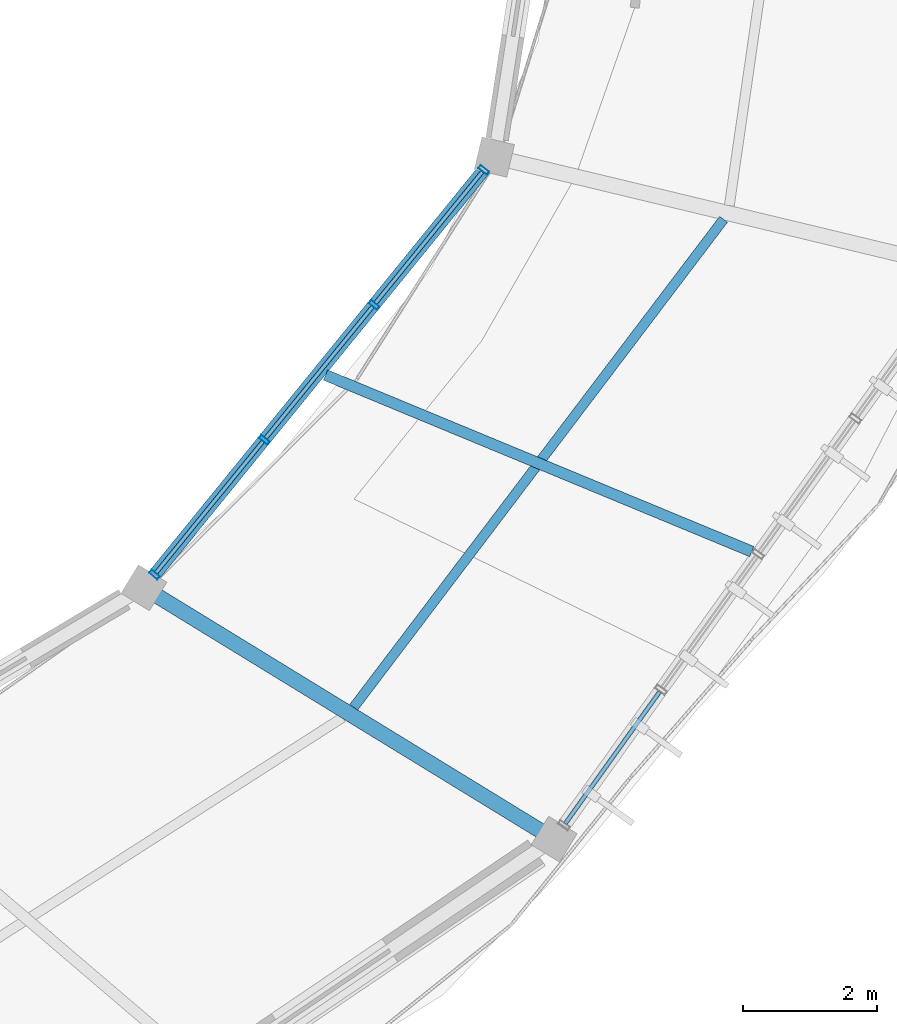
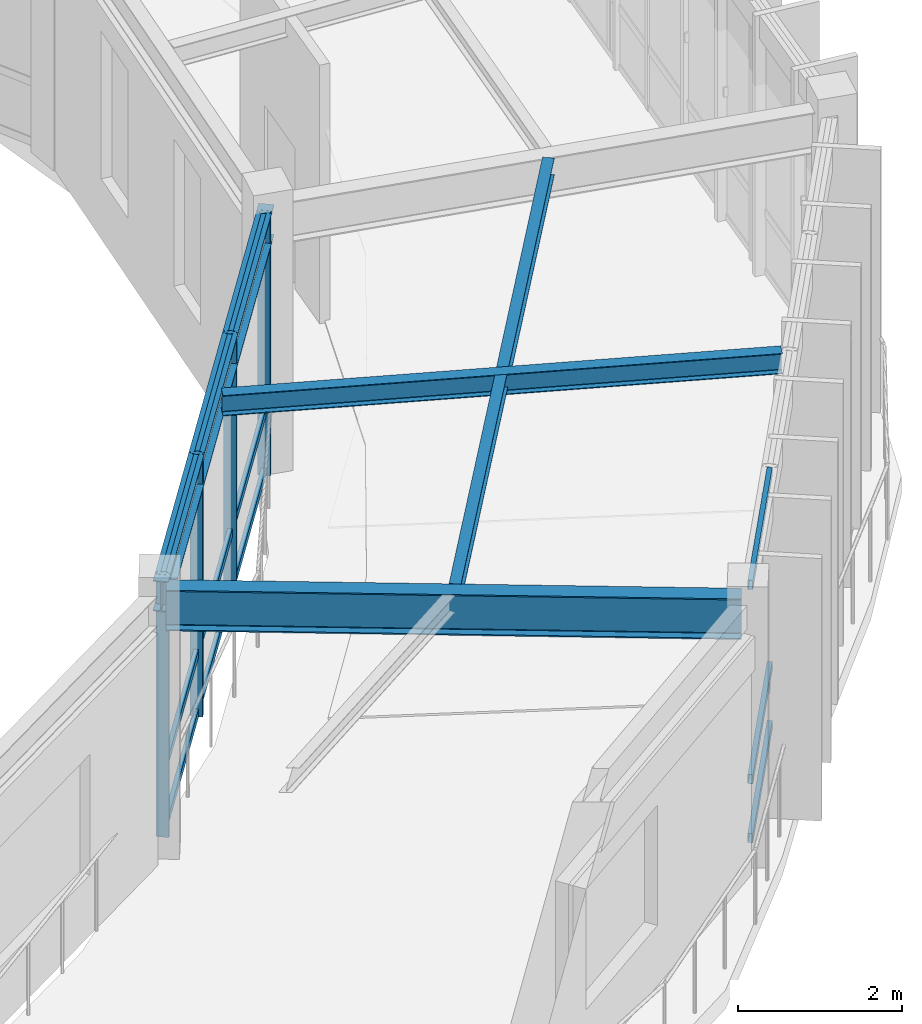
# One storey, part 49 of 78: 16 members, 4 beams, 2 elements without a shape of their own.
"""IFC4 building model written with IfcOpenShell, lengths in metres."""

from ifc_helpers import new_model, si_unit, direction, frame, origin, origin_2d, place, context, subcontext, project, spatial, hollow_rectangle, i_section, extrude, material, material_profile, profile_set, type_object, element, aggregate, save


model = new_model("IFC4")

# Units and contexts
model_context = context("Model", 3, precision=1e-05, world=origin(), true_north=direction((0.0, 1.0)))
body_context = subcontext(model_context, "Body", "Model", "MODEL_VIEW")
ifc_project = project(units=[si_unit("LENGTHUNIT", "METRE"), si_unit("AREAUNIT", "SQUARE_METRE"), si_unit("VOLUMEUNIT", "CUBIC_METRE"), si_unit("PLANEANGLEUNIT", "RADIAN"), si_unit("MASSUNIT", "GRAM", prefix="KILO"), si_unit("THERMODYNAMICTEMPERATUREUNIT", "KELVIN"), si_unit("POWERUNIT", "WATT")], contexts=[model_context])

# Site, building, storey
site_placement = place(None, origin())
site = spatial("IfcSite", under=ifc_project, at=site_placement, CompositionType="ELEMENT")
building_placement = place(site_placement, origin())
building = spatial("IfcBuilding", under=site, at=building_placement, Name="Darbajah Civic Hall", CompositionType="ELEMENT")
storey_placement = place(building_placement, frame((0.0, 0.0, 26.39990234375)))
storey = spatial("IfcBuildingStorey", under=building, at=storey_placement, Name="L06", CompositionType="ELEMENT", Elevation=26.39990234375)

# Curtain wall, members
ifc_material_1 = material(Name="Anodised Bronze Aluminium and Low-E Glazing", Category="aluminium")
curtain_wall_type_1 = type_object("IfcCurtainWallType", Name="Unitised Curtain Wall CW-75 7800x3900", PredefinedType="USERDEFINED", material=ifc_material_1)
curtain_wall_1_placement = place(storey_placement, origin())
curtain_wall_1 = element("IfcCurtainWall", 1, at=curtain_wall_1_placement, inside=storey, type_object=curtain_wall_type_1, Name="L06 unitised curtain wall CW-V1I-L06-18", ObjectType="UNITISED CURTAIN WALL", PredefinedType="USERDEFINED")
ifc_material_2 = material(Name="Anodised Bronze Aluminium", Category="aluminium")
ifc_material_profile_1 = material_profile(ifc_material_2, hollow_rectangle(XDim=0.06005859375, YDim=0.159912109375, WallThickness=0.00341796875, at=origin_2d()), Name="ALU MULLION 60x160")
ifc_profile_set_1 = profile_set([ifc_material_profile_1], Name="Anodised Bronze Aluminium")
member_type_1 = type_object("IfcMemberType", Name="ALU MULLION 60x160", PredefinedType="MULLION", material=ifc_profile_set_1)
member_1_placement = place(storey_placement, frame((126.6044921875, 78.34375, 0.0), z_axis=(0.0, 0.0, 1.0), x_axis=(0.63108205791, 0.775716079622, 0.0)))
member_1 = element("IfcMember", 2, at=member_1_placement, type_object=member_type_1, Name="CW-V1I-L06-18 mullion 1", PredefinedType="MULLION", context=body_context, shape_type="SweptSolid", body=[
    extrude(hollow_rectangle(XDim=0.06005859375, YDim=0.159912109375, WallThickness=0.00341796875, at=origin_2d()), origin(), (0.0, 0.0, 1.0), 3.920166015625),
])
member_2_placement = place(storey_placement, frame((128.24658203125, 80.362060546875, 0.0), z_axis=(0.0, 0.0, 1.0), x_axis=(0.63108205791, 0.775716079622, 0.0)))
member_2 = element("IfcMember", 3, at=member_2_placement, type_object=member_type_1, Name="CW-V1I-L06-18 mullion 2", PredefinedType="MULLION", context=body_context, shape_type="SweptSolid", body=[
    extrude(hollow_rectangle(XDim=0.06005859375, YDim=0.159912109375, WallThickness=0.00341796875, at=origin_2d()), origin(), (0.0, 0.0, 1.0), 3.920166015625),
])
member_3_placement = place(storey_placement, frame((129.888671875, 82.38037109375, 0.0), z_axis=(0.0, 0.0, 1.0), x_axis=(0.63108205791, 0.775716079622, 0.0)))
member_3 = element("IfcMember", 4, at=member_3_placement, type_object=member_type_1, Name="CW-V1I-L06-18 mullion 3", PredefinedType="MULLION", context=body_context, shape_type="SweptSolid", body=[
    extrude(hollow_rectangle(XDim=0.06005859375, YDim=0.159912109375, WallThickness=0.00341796875, at=origin_2d()), origin(), (0.0, 0.0, 1.0), 3.920166015625),
])
member_4_placement = place(storey_placement, frame((131.53076171875, 84.398681640625, 0.0), z_axis=(0.0, 0.0, 1.0), x_axis=(0.63108205791, 0.775716079622, 0.0)))
member_4 = element("IfcMember", 5, at=member_4_placement, type_object=member_type_1, Name="CW-V1I-L06-18 mullion 4", PredefinedType="MULLION", context=body_context, shape_type="SweptSolid", body=[
    extrude(hollow_rectangle(XDim=0.06005859375, YDim=0.159912109375, WallThickness=0.00341796875, at=origin_2d()), origin(), (0.0, 0.0, 1.0), 3.920166015625),
])
ifc_material_profile_2 = material_profile(ifc_material_2, hollow_rectangle(XDim=0.06005859375, YDim=0.1201171875, WallThickness=0.003173828125, at=origin_2d()), Name="ALU TRANSOM 60x120")
ifc_profile_set_2 = profile_set([ifc_material_profile_2], Name="Anodised Bronze Aluminium")
member_type_2 = type_object("IfcMemberType", Name="ALU TRANSOM 60x120", PredefinedType="USERDEFINED", material=ifc_profile_set_2)
member_5_placement = place(storey_placement, frame((126.626708984375, 78.370849609375, 0.06005859375), z_axis=(0.631082550461, 0.775715678908, 0.0), x_axis=(-0.775715678908, 0.631082550461, 0.0)))
member_5 = element("IfcMember", 6, at=member_5_placement, type_object=member_type_2, Name="CW-V1I-L06-18 transom 1.1", ObjectType="TRANSOM", PredefinedType="USERDEFINED", context=body_context, shape_type="SweptSolid", body=[
    extrude(hollow_rectangle(XDim=0.06005859375, YDim=0.1201171875, WallThickness=0.003173828125, at=origin_2d()), origin(), (0.0, 0.0, 1.0), 2.531982421875),
])
member_6_placement = place(storey_placement, frame((126.626708984375, 78.370849609375, 0.9501953125), z_axis=(0.631082550461, 0.775715678908, 0.0), x_axis=(-0.775715678908, 0.631082550461, 0.0)))
member_6 = element("IfcMember", 7, at=member_6_placement, type_object=member_type_2, Name="CW-V1I-L06-18 transom 1.2", ObjectType="TRANSOM", PredefinedType="USERDEFINED", context=body_context, shape_type="SweptSolid", body=[
    extrude(hollow_rectangle(XDim=0.06005859375, YDim=0.1201171875, WallThickness=0.003173828125, at=origin_2d()), origin(), (0.0, 0.0, 1.0), 2.531982421875),
])
member_7_placement = place(storey_placement, frame((126.626708984375, 78.370849609375, 3.860107421875), z_axis=(0.631082550461, 0.775715678908, 0.0), x_axis=(-0.775715678908, 0.631082550461, 0.0)))
member_7 = element("IfcMember", 8, at=member_7_placement, type_object=member_type_2, Name="CW-V1I-L06-18 transom 1.3", ObjectType="TRANSOM", PredefinedType="USERDEFINED", context=body_context, shape_type="SweptSolid", body=[
    extrude(hollow_rectangle(XDim=0.06005859375, YDim=0.1201171875, WallThickness=0.003173828125, at=origin_2d()), origin(), (0.0, 0.0, 1.0), 2.531982421875),
])
member_8_placement = place(storey_placement, frame((128.268798828125, 80.38916015625, 0.06005859375), z_axis=(0.631082550461, 0.775715678908, 0.0), x_axis=(-0.775715678908, 0.631082550461, 0.0)))
member_8 = element("IfcMember", 9, at=member_8_placement, type_object=member_type_2, Name="CW-V1I-L06-18 transom 2.1", ObjectType="TRANSOM", PredefinedType="USERDEFINED", context=body_context, shape_type="SweptSolid", body=[
    extrude(hollow_rectangle(XDim=0.06005859375, YDim=0.1201171875, WallThickness=0.003173828125, at=origin_2d()), origin(), (0.0, 0.0, 1.0), 2.531982421875),
])
member_9_placement = place(storey_placement, frame((128.268798828125, 80.38916015625, 0.9501953125), z_axis=(0.631082550461, 0.775715678908, 0.0), x_axis=(-0.775715678908, 0.631082550461, 0.0)))
member_9 = element("IfcMember", 10, at=member_9_placement, type_object=member_type_2, Name="CW-V1I-L06-18 transom 2.2", ObjectType="TRANSOM", PredefinedType="USERDEFINED", context=body_context, shape_type="SweptSolid", body=[
    extrude(hollow_rectangle(XDim=0.06005859375, YDim=0.1201171875, WallThickness=0.003173828125, at=origin_2d()), origin(), (0.0, 0.0, 1.0), 2.531982421875),
])
member_10_placement = place(storey_placement, frame((128.268798828125, 80.38916015625, 3.860107421875), z_axis=(0.631082550461, 0.775715678908, 0.0), x_axis=(-0.775715678908, 0.631082550461, 0.0)))
member_10 = element("IfcMember", 11, at=member_10_placement, type_object=member_type_2, Name="CW-V1I-L06-18 transom 2.3", ObjectType="TRANSOM", PredefinedType="USERDEFINED", context=body_context, shape_type="SweptSolid", body=[
    extrude(hollow_rectangle(XDim=0.06005859375, YDim=0.1201171875, WallThickness=0.003173828125, at=origin_2d()), origin(), (0.0, 0.0, 1.0), 2.531982421875),
])
member_11_placement = place(storey_placement, frame((129.910888671875, 82.407470703125, 0.06005859375), z_axis=(0.631082550461, 0.775715678908, 0.0), x_axis=(-0.775715678908, 0.631082550461, 0.0)))
member_11 = element("IfcMember", 12, at=member_11_placement, type_object=member_type_2, Name="CW-V1I-L06-18 transom 3.1", ObjectType="TRANSOM", PredefinedType="USERDEFINED", context=body_context, shape_type="SweptSolid", body=[
    extrude(hollow_rectangle(XDim=0.06005859375, YDim=0.1201171875, WallThickness=0.003173828125, at=origin_2d()), origin(), (0.0, 0.0, 1.0), 2.531982421875),
])
member_12_placement = place(storey_placement, frame((129.910888671875, 82.407470703125, 0.9501953125), z_axis=(0.631082550461, 0.775715678908, 0.0), x_axis=(-0.775715678908, 0.631082550461, 0.0)))
member_12 = element("IfcMember", 13, at=member_12_placement, type_object=member_type_2, Name="CW-V1I-L06-18 transom 3.2", ObjectType="TRANSOM", PredefinedType="USERDEFINED", context=body_context, shape_type="SweptSolid", body=[
    extrude(hollow_rectangle(XDim=0.06005859375, YDim=0.1201171875, WallThickness=0.003173828125, at=origin_2d()), origin(), (0.0, 0.0, 1.0), 2.531982421875),
])
member_13_placement = place(storey_placement, frame((129.910888671875, 82.407470703125, 3.860107421875), z_axis=(0.631082550461, 0.775715678908, 0.0), x_axis=(-0.775715678908, 0.631082550461, 0.0)))
member_13 = element("IfcMember", 14, at=member_13_placement, type_object=member_type_2, Name="CW-V1I-L06-18 transom 3.3", ObjectType="TRANSOM", PredefinedType="USERDEFINED", context=body_context, shape_type="SweptSolid", body=[
    extrude(hollow_rectangle(XDim=0.06005859375, YDim=0.1201171875, WallThickness=0.003173828125, at=origin_2d()), origin(), (0.0, 0.0, 1.0), 2.531982421875),
])
aggregate(curtain_wall_1, [member_1, member_2, member_3, member_4, member_5, member_6, member_7, member_8, member_9, member_10, member_11, member_12, member_13])

curtain_wall_type_2 = type_object("IfcCurtainWallType", Name="Unitised Curtain Wall CW-92 10000x3900", PredefinedType="USERDEFINED", material=ifc_material_1)
curtain_wall_2_placement = place(storey_placement, origin())
curtain_wall_2 = element("IfcCurtainWall", 15, at=curtain_wall_2_placement, inside=storey, type_object=curtain_wall_type_2, Name="L06 unitised curtain wall CW-V1O-L06-18", ObjectType="UNITISED CURTAIN WALL", PredefinedType="USERDEFINED")
ifc_material_profile_3 = material_profile(ifc_material_2, hollow_rectangle(XDim=0.06494140625, YDim=0.139892578125, WallThickness=0.00341796875, at=origin_2d()), Name="ALU TRANSOM 65x140")
ifc_profile_set_3 = profile_set([ifc_material_profile_3], Name="Anodised Bronze Aluminium")
member_type_3 = type_object("IfcMemberType", Name="ALU TRANSOM 65x140", PredefinedType="USERDEFINED", material=ifc_profile_set_3)
member_14_placement = place(storey_placement, frame((132.753173828125, 74.62158203125, 0.070068359375), z_axis=(0.582153568568, 0.813078853866, 0.0), x_axis=(-0.813078853866, 0.582153568568, 0.0)))
member_14 = element("IfcMember", 16, at=member_14_placement, type_object=member_type_3, Name="CW-V1O-L06-18 transom 1.1", ObjectType="TRANSOM", PredefinedType="USERDEFINED", context=body_context, shape_type="SweptSolid", body=[
    extrude(hollow_rectangle(XDim=0.06494140625, YDim=0.139892578125, WallThickness=0.00341796875, at=origin_2d()), origin(), (0.0, 0.0, 1.0), 2.421142578125),
])
member_15_placement = place(storey_placement, frame((132.753173828125, 74.62158203125, 0.9501953125), z_axis=(0.582153568568, 0.813078853866, 0.0), x_axis=(-0.813078853866, 0.582153568568, 0.0)))
member_15 = element("IfcMember", 17, at=member_15_placement, type_object=member_type_3, Name="CW-V1O-L06-18 transom 1.2", ObjectType="TRANSOM", PredefinedType="USERDEFINED", context=body_context, shape_type="SweptSolid", body=[
    extrude(hollow_rectangle(XDim=0.06494140625, YDim=0.139892578125, WallThickness=0.00341796875, at=origin_2d()), origin(), (0.0, 0.0, 1.0), 2.421142578125),
])
member_16_placement = place(storey_placement, frame((132.753173828125, 74.62158203125, 3.85009765625), z_axis=(0.582153568568, 0.813078853866, 0.0), x_axis=(-0.813078853866, 0.582153568568, 0.0)))
member_16 = element("IfcMember", 18, at=member_16_placement, type_object=member_type_3, Name="CW-V1O-L06-18 transom 1.3", ObjectType="TRANSOM", PredefinedType="USERDEFINED", context=body_context, shape_type="SweptSolid", body=[
    extrude(hollow_rectangle(XDim=0.06494140625, YDim=0.139892578125, WallThickness=0.00341796875, at=origin_2d()), origin(), (0.0, 0.0, 1.0), 2.421142578125),
])
aggregate(curtain_wall_2, [member_14, member_15, member_16])

# Beams
ifc_material_3 = material(Name="Steel S355JR", Category="steel")
ifc_material_profile_4 = material_profile(ifc_material_3, i_section(OverallWidth=0.146484375, OverallDepth=0.256103515625, WebThickness=0.00634765625, FlangeThickness=0.010986328125, FilletRadius=0.007568359375, at=origin_2d()), Name="UB 254x146x37")
ifc_profile_set_4 = profile_set([ifc_material_profile_4], Name="Steel S355JR")
beam_type_1 = type_object("IfcBeamType", Name="UB 254x146x37", PredefinedType="JOIST", material=ifc_profile_set_4)
beam_1_placement = place(storey_placement, frame((129.585205078125, 76.359619140625, 3.7919921875), z_axis=(0.604101851083, 0.796907117246, 0.0), x_axis=(-0.796907117246, 0.604101851083, 0.0)))
element("IfcBeam", 19, at=beam_1_placement, inside=storey, type_object=beam_type_1, Name="L06 beam SJ-254", PredefinedType="JOIST", context=body_context, shape_type="SweptSolid", body=[
    extrude(i_section(OverallWidth=0.146484375, OverallDepth=0.256103515625, WebThickness=0.00634765625, FlangeThickness=0.010986328125, FilletRadius=0.007568359375, at=origin_2d()), origin(), (0.0, 0.0, 1.0), 9.16259765625),
])
ifc_material_profile_5 = material_profile(ifc_material_3, i_section(OverallWidth=0.165771484375, OverallDepth=0.306640625, WebThickness=0.006591796875, FlangeThickness=0.01171875, FilletRadius=0.0087890625, at=origin_2d()), Name="UB 305x165x46")
ifc_profile_set_5 = profile_set([ifc_material_profile_5], Name="Steel S355JR")
beam_type_2 = type_object("IfcBeamType", Name="UB 305x165x46", PredefinedType="JOIST", material=ifc_profile_set_5)
beam_2_placement = place(storey_placement, frame((129.16552734375, 81.330810546875, 3.766845703125), z_axis=(0.923878471007, -0.382685995053, 0.0), x_axis=(0.382685995053, 0.923878471007, 0.0)))
element("IfcBeam", 20, at=beam_2_placement, inside=storey, type_object=beam_type_2, Name="L06 beam SJ-305", PredefinedType="JOIST", context=body_context, shape_type="SweptSolid", body=[
    extrude(i_section(OverallWidth=0.165771484375, OverallDepth=0.306640625, WebThickness=0.006591796875, FlangeThickness=0.01171875, FilletRadius=0.0087890625, at=origin_2d()), origin(), (0.0, 0.0, 1.0), 6.9033203125),
])
ifc_material_profile_6 = material_profile(ifc_material_3, i_section(OverallWidth=0.1904296875, OverallDepth=0.45703125, WebThickness=0.009033203125, FlangeThickness=0.014404296875, FilletRadius=0.01025390625, at=origin_2d()), Name="UB 457x191x74")
ifc_profile_set_6 = profile_set([ifc_material_profile_6], Name="Steel S355JR")
beam_type_3 = type_object("IfcBeamType", Name="UB 457x191x74", PredefinedType="BEAM", material=ifc_profile_set_6)
beam_3_placement = place(storey_placement, frame((126.49609375, 78.21044921875, 3.691650390625), z_axis=(0.631114659221, 0.775689555761, 0.0), x_axis=(-0.775689555761, 0.631114659221, 0.0)))
element("IfcBeam", 21, at=beam_3_placement, inside=storey, type_object=beam_type_3, Name="L06 beam SB-457", PredefinedType="BEAM", context=body_context, shape_type="SweptSolid", body=[
    extrude(i_section(OverallWidth=0.1904296875, OverallDepth=0.45703125, WebThickness=0.009033203125, FlangeThickness=0.014404296875, FilletRadius=0.01025390625, at=origin_2d()), origin(), (0.0, 0.0, 1.0), 8.149658203125),
])
ifc_material_profile_7 = material_profile(ifc_material_3, i_section(OverallWidth=0.228271484375, OverallDepth=0.607666015625, WebThickness=0.010986328125, FlangeThickness=0.017333984375, FilletRadius=0.0126953125, at=origin_2d()), Name="UB 610x229x113")
ifc_profile_set_7 = profile_set([ifc_material_profile_7], Name="Steel S355JR")
beam_type_4 = type_object("IfcBeamType", Name="UB 610x229x113", PredefinedType="BEAM", material=ifc_profile_set_7)
beam_4_placement = place(storey_placement, frame((126.513916015625, 78.1064453125, 3.6162109375), z_axis=(0.852629661041, -0.522515704178, 0.0), x_axis=(0.522515704178, 0.852629661041, 0.0)))
element("IfcBeam", 22, at=beam_4_placement, inside=storey, type_object=beam_type_4, Name="L06 beam SB-610", PredefinedType="BEAM", context=body_context, shape_type="SweptSolid", body=[
    extrude(i_section(OverallWidth=0.228271484375, OverallDepth=0.607666015625, WebThickness=0.010986328125, FlangeThickness=0.017333984375, FilletRadius=0.0126953125, at=origin_2d()), origin(), (0.0, 0.0, 1.0), 7.039794921875),
])

save(model, "model.ifc")
